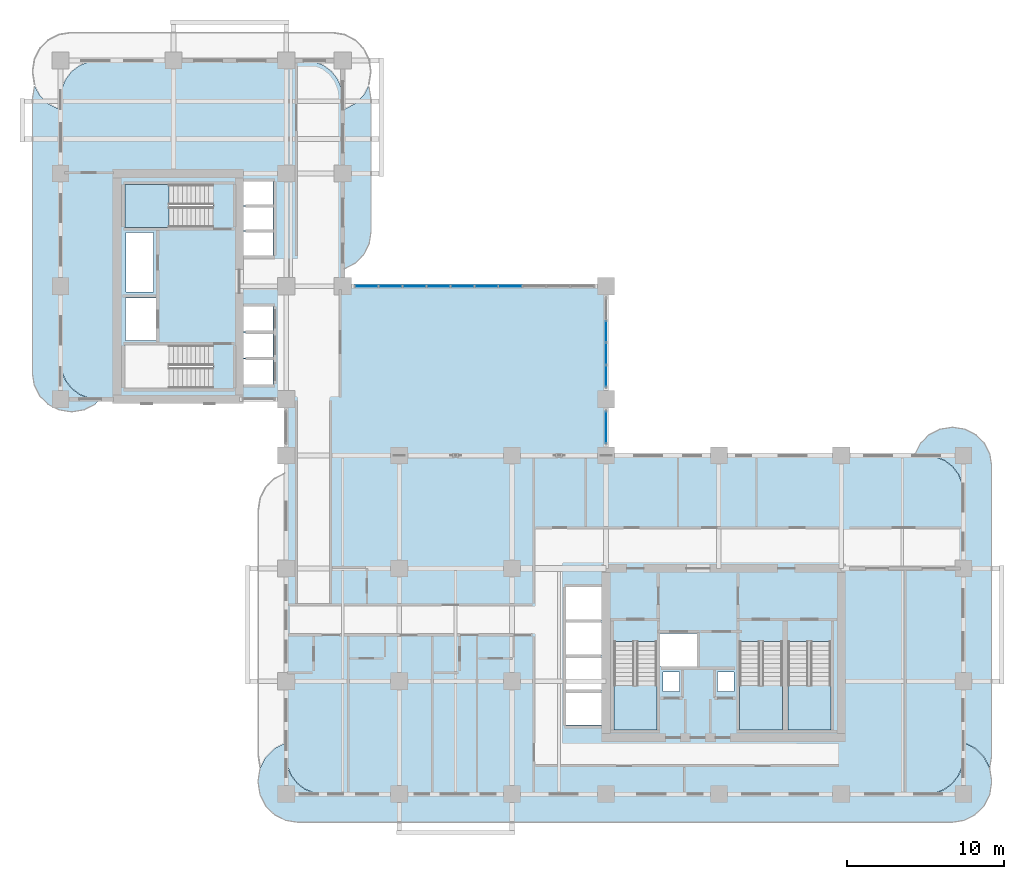
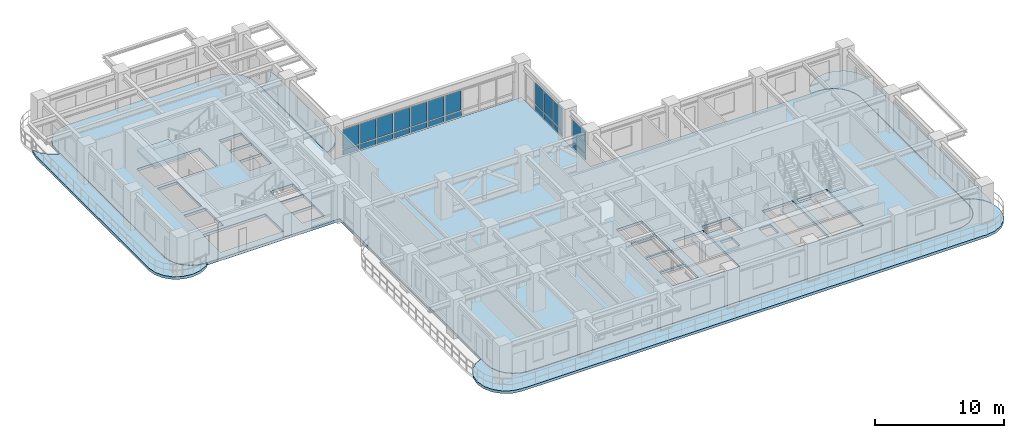
# One storey, part 9 of 21: 22 plates, 9 slabs, 7 elements without a shape of their own.
"""IFC4 building model written with IfcOpenShell, lengths in metres."""

from ifc_helpers import new_model, si_unit, derived_unit, direction, frame, origin, origin_2d, place, context, subcontext, project, spatial, polyline, rectangle, outline, extrude, source, transform, mapped, material, layer, layer_set, type_object, element, aggregate, save


model = new_model("IFC4")

# Units and contexts
model_context = context("Model", 3, precision=1e-05, world=origin(), true_north=direction((0.0, 1.0)))
body_context = subcontext(model_context, "Body", "Model", "MODEL_VIEW")
ifc_project = project(units=[si_unit("LENGTHUNIT", "METRE"), si_unit("AREAUNIT", "SQUARE_METRE"), si_unit("VOLUMEUNIT", "CUBIC_METRE"), si_unit("PLANEANGLEUNIT", "RADIAN"), si_unit("MASSUNIT", "GRAM", prefix="KILO"), si_unit("THERMODYNAMICTEMPERATUREUNIT", "KELVIN"), si_unit("POWERUNIT", "WATT"), derived_unit("THERMALTRANSMITTANCEUNIT", [(si_unit("POWERUNIT", "WATT"), 1), (si_unit("AREAUNIT", "SQUARE_METRE"), -1), (si_unit("THERMODYNAMICTEMPERATUREUNIT", "KELVIN"), -1)])], contexts=[model_context])

# Site, building, storey
site_placement = place(None, origin())
site = spatial("IfcSite", under=ifc_project, at=site_placement, CompositionType="ELEMENT")
building_placement = place(site_placement, origin())
building = spatial("IfcBuilding", under=site, at=building_placement, Name="Zahravan Archway Hotel and Residences", CompositionType="ELEMENT")
storey_placement = place(building_placement, frame((0.0, 0.0, 65.699951171875)))
storey = spatial("IfcBuildingStorey", under=building, at=storey_placement, Name="L15", CompositionType="ELEMENT", Elevation=65.699951171875)

# Slabs
ifc_material_1 = material(Name="Concrete C45/55", Category="concrete")
ifc_layer_1 = layer(ifc_material_1, 0.25, Name="Concrete C45/55", Category="concrete")
ifc_layer_set_1 = layer_set([ifc_layer_1], Name="Concrete C45/55")
slab_type_1 = type_object("IfcSlabType", Name="SLB-BALC-250", PredefinedType="FLOOR", material=ifc_layer_set_1)
slab_1_placement = place(storey_placement, frame((0.0, 0.0, -0.25)))
element("IfcSlab", 1, at=slab_1_placement, inside=storey, type_object=slab_type_1, Name="L15 Wing A South Rounded Balcony Band", PredefinedType="FLOOR", context=body_context, shape_type="SweptSolid", body=[
    extrude(outline(polyline([(57.637939453125, 3.275146484375), (58.348876953125, 2.9130859375), (58.9130859375, 2.348876953125), (59.275146484375, 1.637939453125), (59.39990234375, 0.85009765625), (59.39990234375, 0.75), (59.275146484375, -0.0380859375), (58.9130859375, -0.748779296875), (58.348876953125, -1.31298828125), (57.637939453125, -1.67529296875), (56.85009765625, -1.800048828125), (15.14990234375, -1.800048828125), (14.362060546875, -1.67529296875), (13.651123046875, -1.31298828125), (13.0869140625, -0.748779296875), (12.724853515625, -0.0380859375), (12.60009765625, 0.75), (12.60009765625, 0.85009765625), (12.724853515625, 1.637939453125), (13.0869140625, 2.348876953125), (13.651123046875, 2.9130859375), (14.362060546875, 3.275146484375), (14.3798828125, 3.278076171875), (14.3798828125, 2.39990234375), (14.380126953125, 2.3974609375), (14.4619140625, 1.776123046875), (14.46240234375, 1.7744140625), (14.462646484375, 1.772705078125), (14.46337890625, 1.77099609375), (14.702880859375, 1.1923828125), (14.703857421875, 1.19091796875), (14.70458984375, 1.189208984375), (14.70556640625, 1.187744140625), (15.0869140625, 0.690673828125), (15.088134765625, 0.689453125), (15.08935546875, 0.688232421875), (15.0908203125, 0.68701171875), (15.587890625, 0.3056640625), (15.58935546875, 0.3046875), (15.5908203125, 0.3037109375), (15.59228515625, 0.302978515625), (16.171142578125, 0.063232421875), (16.1728515625, 0.062744140625), (16.174560546875, 0.062255859375), (16.17626953125, 0.06201171875), (16.79736328125, -0.019775390625), (16.800048828125, -0.02001953125), (55.199951171875, -0.02001953125), (55.20263671875, -0.019775390625), (55.82373046875, 0.06201171875), (55.825439453125, 0.062255859375), (55.8271484375, 0.062744140625), (55.828857421875, 0.063232421875), (56.40771484375, 0.302978515625), (56.4091796875, 0.3037109375), (56.41064453125, 0.3046875), (56.412109375, 0.3056640625), (56.9091796875, 0.68701171875), (56.91064453125, 0.688232421875), (56.911865234375, 0.689453125), (56.9130859375, 0.690673828125), (57.29443359375, 1.187744140625), (57.29541015625, 1.189208984375), (57.296142578125, 1.19091796875), (57.297119140625, 1.1923828125), (57.53662109375, 1.77099609375), (57.537353515625, 1.772705078125), (57.53759765625, 1.7744140625), (57.5380859375, 1.776123046875), (57.619873046875, 2.3974609375), (57.6201171875, 2.39990234375), (57.6201171875, 3.278076171875), (57.637939453125, 3.275146484375)])), origin(), (0.0, 0.0, 1.0), 0.25),
])
slab_2_placement = place(storey_placement, frame((0.0, 0.0, -0.25)))
element("IfcSlab", 2, at=slab_2_placement, inside=storey, type_object=slab_type_1, Name="L15 Wing A East Rounded Balcony Band", PredefinedType="FLOOR", context=body_context, shape_type="SweptSolid", body=[
    extrude(outline(polyline([(54.52001953125, 21.70703125), (54.867919921875, 22.39013671875), (55.409912109375, 22.93212890625), (56.093017578125, 23.280029296875), (56.85009765625, 23.39990234375), (56.949951171875, 23.39990234375), (57.70703125, 23.280029296875), (58.39013671875, 22.93212890625), (58.93212890625, 22.39013671875), (59.280029296875, 21.70703125), (59.39990234375, 20.949951171875), (59.39990234375, 2.449951171875), (59.280029296875, 1.69287109375), (59.27490234375, 1.6826171875), (58.930908203125, 2.35791015625), (58.9296875, 2.35986328125), (58.928466796875, 2.361572265625), (58.927001953125, 2.363037109375), (58.363037109375, 2.927001953125), (58.361572265625, 2.928466796875), (58.35986328125, 2.9296875), (58.35791015625, 2.930908203125), (57.647216796875, 3.29296875), (57.645263671875, 3.2939453125), (57.643310546875, 3.29443359375), (57.64111328125, 3.294921875), (57.623046875, 3.2978515625), (57.62109375, 3.298095703125), (57.6201171875, 3.298095703125), (57.6201171875, 19.199951171875), (57.619873046875, 19.20263671875), (57.5380859375, 19.82373046875), (57.53759765625, 19.825439453125), (57.537353515625, 19.8271484375), (57.53662109375, 19.828857421875), (57.297119140625, 20.40771484375), (57.296142578125, 20.4091796875), (57.29541015625, 20.41064453125), (57.29443359375, 20.412109375), (56.9130859375, 20.9091796875), (56.911865234375, 20.91064453125), (56.91064453125, 20.911865234375), (56.9091796875, 20.9130859375), (56.412109375, 21.29443359375), (56.41064453125, 21.29541015625), (56.4091796875, 21.296142578125), (56.40771484375, 21.297119140625), (55.828857421875, 21.53662109375), (55.8271484375, 21.537353515625), (55.825439453125, 21.53759765625), (55.82373046875, 21.5380859375), (55.20263671875, 21.619873046875), (55.199951171875, 21.6201171875), (54.506103515625, 21.6201171875), (54.52001953125, 21.70703125)])), origin(), (0.0, 0.0, 1.0), 0.25),
])
slab_3_placement = place(storey_placement, frame((0.0, 0.0, -0.25)))
element("IfcSlab", 3, at=slab_3_placement, inside=storey, type_object=slab_type_1, Name="L15 Wing B West Rounded Balcony Band", PredefinedType="FLOOR", context=body_context, shape_type="SweptSolid", body=[
    extrude(outline(polyline([(2.190185546875, 24.867919921875), (1.507080078125, 24.52001953125), (0.75, 24.39990234375), (0.64990234375, 24.39990234375), (-0.107177734375, 24.52001953125), (-0.7900390625, 24.867919921875), (-1.33203125, 25.409912109375), (-1.68017578125, 26.093017578125), (-1.800048828125, 26.85009765625), (-1.800048828125, 44.35009765625), (-1.68017578125, 45.107177734375), (-1.64404296875, 45.177978515625), (-1.349853515625, 44.600830078125), (-1.348876953125, 44.59912109375), (-1.34765625, 44.597412109375), (-1.34619140625, 44.595703125), (-0.80419921875, 44.0537109375), (-0.802734375, 44.052490234375), (-0.801025390625, 44.051025390625), (-0.79931640625, 44.050048828125), (-0.1162109375, 43.7021484375), (-0.1142578125, 43.701171875), (-0.1123046875, 43.70068359375), (-0.110107421875, 43.7001953125), (-0.023193359375, 43.686279296875), (-0.021240234375, 43.68603515625), (-0.02001953125, 43.68603515625), (-0.02001953125, 27.60009765625), (-0.019775390625, 27.597412109375), (0.06201171875, 26.976318359375), (0.062255859375, 26.974609375), (0.062744140625, 26.972900390625), (0.063232421875, 26.97119140625), (0.302978515625, 26.392333984375), (0.3037109375, 26.390869140625), (0.3046875, 26.389404296875), (0.3056640625, 26.3876953125), (0.68701171875, 25.890625), (0.688232421875, 25.889404296875), (0.689453125, 25.88818359375), (0.690673828125, 25.886962890625), (1.187744140625, 25.505615234375), (1.189208984375, 25.504638671875), (1.19091796875, 25.50390625), (1.1923828125, 25.5029296875), (1.77099609375, 25.26318359375), (1.772705078125, 25.2626953125), (1.7744140625, 25.26220703125), (1.776123046875, 25.261962890625), (2.3974609375, 25.18017578125), (2.39990234375, 25.179931640625), (2.502197265625, 25.179931640625), (2.190185546875, 24.867919921875)])), origin(), (0.0, 0.0, 1.0), 0.25),
])
slab_4_placement = place(storey_placement, frame((0.0, 0.0, -0.25)))
element("IfcSlab", 4, at=slab_4_placement, inside=storey, type_object=slab_type_1, Name="L15 Wing B East Rounded Balcony Band", PredefinedType="FLOOR", context=body_context, shape_type="SweptSolid", body=[
    extrude(outline(polyline([(19.68017578125, 45.107177734375), (19.800048828125, 44.35009765625), (19.800048828125, 35.85009765625), (19.68017578125, 35.093017578125), (19.33203125, 34.409912109375), (18.7900390625, 33.867919921875), (18.107177734375, 33.52001953125), (18.02001953125, 33.506103515625), (18.02001953125, 43.68603515625), (18.021240234375, 43.68603515625), (18.023193359375, 43.686279296875), (18.110107421875, 43.7001953125), (18.1123046875, 43.70068359375), (18.1142578125, 43.701171875), (18.1162109375, 43.7021484375), (18.79931640625, 44.050048828125), (18.801025390625, 44.051025390625), (18.802734375, 44.052490234375), (18.80419921875, 44.0537109375), (19.34619140625, 44.595703125), (19.34765625, 44.597412109375), (19.348876953125, 44.59912109375), (19.349853515625, 44.600830078125), (19.64404296875, 45.177978515625), (19.68017578125, 45.107177734375)])), origin(), (0.0, 0.0, 1.0), 0.25),
])
ifc_layer_2 = layer(ifc_material_1, 0.25, Name="Concrete C45/55", Category="concrete")
ifc_layer_set_2 = layer_set([ifc_layer_2], Name="Concrete C45/55")
slab_type_2 = type_object("IfcSlabType", Name="SLB-FLR-250", PredefinedType="FLOOR", material=ifc_layer_set_2)
slab_5_placement = place(storey_placement, frame((0.0, 0.0, -0.25)))
element("IfcSlab", 5, at=slab_5_placement, inside=storey, type_object=slab_type_2, Name="L15 Floor Slab LB", PredefinedType="FLOOR", context=body_context, shape_type="SweptSolid", body=[
    extrude(outline(polyline([(34.800048828125, 21.60009765625), (34.800048828125, 32.39990234375), (18.0, 32.39990234375), (18.0, 44.39990234375), (17.918212890625, 45.021240234375), (17.678466796875, 45.60009765625), (17.297119140625, 46.09716796875), (16.800048828125, 46.478515625), (16.22119140625, 46.71826171875), (15.60009765625, 46.800048828125), (2.39990234375, 46.800048828125), (1.77880859375, 46.71826171875), (1.199951171875, 46.478515625), (0.702880859375, 46.09716796875), (0.321533203125, 45.60009765625), (0.081787109375, 45.021240234375), (0.0, 44.39990234375), (0.0, 27.60009765625), (0.081787109375, 26.978759765625), (0.321533203125, 26.39990234375), (0.702880859375, 25.90283203125), (1.199951171875, 25.521484375), (1.77880859375, 25.28173828125), (2.39990234375, 25.199951171875), (14.39990234375, 25.199951171875), (14.39990234375, 19.199951171875), (14.39990234375, 19.10009765625), (14.39990234375, 2.39990234375), (14.481689453125, 1.77880859375), (14.721435546875, 1.199951171875), (15.102783203125, 0.702880859375), (15.60009765625, 0.321533203125), (16.1787109375, 0.081787109375), (16.800048828125, 0.0), (55.199951171875, 0.0), (55.8212890625, 0.081787109375), (56.39990234375, 0.321533203125), (56.897216796875, 0.702880859375), (57.278564453125, 1.199951171875), (57.518310546875, 1.77880859375), (57.60009765625, 2.39990234375), (57.60009765625, 19.199951171875), (57.518310546875, 19.8212890625), (57.278564453125, 20.39990234375), (56.897216796875, 20.897216796875), (56.39990234375, 21.278564453125), (55.8212890625, 21.518310546875), (55.199951171875, 21.60009765625), (34.800048828125, 21.60009765625)]), holes=[polyline([(35.300048828125, 9.72998046875), (35.300048828125, 4.10009765625), (38.0400390625, 4.10009765625), (38.0400390625, 9.72998046875), (35.300048828125, 9.72998046875)]), polyline([(43.320068359375, 9.72998046875), (43.320068359375, 4.10009765625), (46.06005859375, 4.10009765625), (46.06005859375, 9.72998046875), (43.320068359375, 9.72998046875)]), polyline([(46.39990234375, 9.72998046875), (46.39990234375, 4.10009765625), (49.139892578125, 4.10009765625), (49.139892578125, 9.72998046875), (46.39990234375, 9.72998046875)]), polyline([(9.72998046875, 28.639892578125), (4.10009765625, 28.639892578125), (4.10009765625, 25.89990234375), (9.72998046875, 25.89990234375), (9.72998046875, 28.639892578125)]), polyline([(9.72998046875, 38.89990234375), (4.10009765625, 38.89990234375), (4.10009765625, 36.159912109375), (9.72998046875, 36.159912109375), (9.72998046875, 38.89990234375)]), polyline([(38.179931640625, 8.14990234375), (40.699951171875, 8.14990234375), (40.699951171875, 10.25), (38.179931640625, 10.25), (38.179931640625, 8.14990234375)]), polyline([(4.14990234375, 28.949951171875), (6.10009765625, 28.949951171875), (6.10009765625, 31.64990234375), (4.14990234375, 31.64990234375), (4.14990234375, 28.949951171875)]), polyline([(11.550048828125, 26.14990234375), (13.550048828125, 26.14990234375), (13.550048828125, 27.75), (11.550048828125, 27.75), (11.550048828125, 26.14990234375)]), polyline([(11.550048828125, 27.830078125), (13.550048828125, 27.830078125), (13.550048828125, 29.429931640625), (11.550048828125, 29.429931640625), (11.550048828125, 27.830078125)]), polyline([(11.550048828125, 29.510009765625), (13.550048828125, 29.510009765625), (13.550048828125, 31.110107421875), (11.550048828125, 31.110107421875), (11.550048828125, 29.510009765625)]), polyline([(11.550048828125, 34.35009765625), (13.550048828125, 34.35009765625), (13.550048828125, 35.889892578125), (11.550048828125, 35.889892578125), (11.550048828125, 34.35009765625)]), polyline([(11.550048828125, 35.949951171875), (13.550048828125, 35.949951171875), (13.550048828125, 37.489990234375), (11.550048828125, 37.489990234375), (11.550048828125, 35.949951171875)]), polyline([(11.550048828125, 37.550048828125), (13.550048828125, 37.550048828125), (13.550048828125, 39.090087890625), (11.550048828125, 39.090087890625), (11.550048828125, 37.550048828125)]), polyline([(32.25, 4.39990234375), (34.550048828125, 4.39990234375), (34.550048828125, 6.47998046875), (32.25, 6.47998046875), (32.25, 4.39990234375)]), polyline([(32.25, 6.639892578125), (34.550048828125, 6.639892578125), (34.550048828125, 8.719970703125), (32.25, 8.719970703125), (32.25, 6.639892578125)]), polyline([(32.25, 8.8798828125), (34.550048828125, 8.8798828125), (34.550048828125, 10.9599609375), (32.25, 10.9599609375), (32.25, 8.8798828125)]), polyline([(32.25, 11.1201171875), (34.550048828125, 11.1201171875), (34.550048828125, 13.199951171875), (32.25, 13.199951171875), (32.25, 11.1201171875)]), polyline([(38.419921875, 6.56005859375), (39.5, 6.56005859375), (39.5, 7.780029296875), (38.419921875, 7.780029296875), (38.419921875, 6.56005859375)]), polyline([(41.89990234375, 6.56005859375), (42.9599609375, 6.56005859375), (42.9599609375, 7.780029296875), (41.89990234375, 7.780029296875), (41.89990234375, 6.56005859375)]), polyline([(4.179931640625, 32.050048828125), (5.93994140625, 32.050048828125), (5.93994140625, 35.840087890625), (4.179931640625, 35.840087890625), (4.179931640625, 32.050048828125)])]), origin(), (0.0, 0.0, 1.0), 0.25),
])

# Stair, slab
ifc_material_2 = material(Name="Concrete C50/60", Category="concrete")
stair_type = type_object("IfcStairType", Name="STR-CORE-1300", PredefinedType="HALF_TURN_STAIR", material=ifc_material_2)
stair_1_placement = place(storey_placement, origin())
stair_1 = element("IfcStair", 6, at=stair_1_placement, inside=storey, type_object=stair_type, Name="L15 Core A Exit Stair 1", PredefinedType="HALF_TURN_STAIR")
ifc_layer_3 = layer(ifc_material_2, 0.199951171875, Name="Concrete C50/60", Category="concrete")
ifc_layer_set_3 = layer_set([ifc_layer_3], Name="Concrete C50/60")
slab_type_3 = type_object("IfcSlabType", Name="SLB-LND-200", PredefinedType="LANDING", material=ifc_layer_set_3)
slab_6_placement = place(storey_placement, frame((0.0, 0.0, 1.650146484375)))
slab_6 = element("IfcSlab", 7, at=slab_6_placement, type_object=slab_type_3, Name="ST-A1 landing 1", PredefinedType="LANDING", context=body_context, shape_type="SweptSolid", body=[
    extrude(outline(polyline([(35.300048828125, 6.929931640625), (35.300048828125, 4.10009765625), (38.0400390625, 4.10009765625), (38.0400390625, 6.929931640625), (35.300048828125, 6.929931640625)])), origin(), (0.0, 0.0, 1.0), 0.199951171875),
])
aggregate(stair_1, [slab_6])

stair_2_placement = place(storey_placement, origin())
stair_2 = element("IfcStair", 8, at=stair_2_placement, inside=storey, type_object=stair_type, Name="L15 Core A Exit Stair 2", PredefinedType="HALF_TURN_STAIR")
slab_7_placement = place(storey_placement, frame((0.0, 0.0, 1.650146484375)))
slab_7 = element("IfcSlab", 9, at=slab_7_placement, type_object=slab_type_3, Name="ST-A2 landing 1", PredefinedType="LANDING", context=body_context, shape_type="SweptSolid", body=[
    extrude(outline(polyline([(43.320068359375, 6.929931640625), (43.320068359375, 4.10009765625), (46.06005859375, 4.10009765625), (46.06005859375, 6.929931640625), (43.320068359375, 6.929931640625)])), origin(), (0.0, 0.0, 1.0), 0.199951171875),
])
aggregate(stair_2, [slab_7])

stair_3_placement = place(storey_placement, origin())
stair_3 = element("IfcStair", 10, at=stair_3_placement, inside=storey, type_object=stair_type, Name="L15 Core A Exit Stair 3", PredefinedType="HALF_TURN_STAIR")
slab_8_placement = place(storey_placement, frame((0.0, 0.0, 1.650146484375)))
slab_8 = element("IfcSlab", 11, at=slab_8_placement, type_object=slab_type_3, Name="ST-A3 landing 1", PredefinedType="LANDING", context=body_context, shape_type="SweptSolid", body=[
    extrude(outline(polyline([(46.39990234375, 6.929931640625), (46.39990234375, 4.10009765625), (49.139892578125, 4.10009765625), (49.139892578125, 6.929931640625), (46.39990234375, 6.929931640625)])), origin(), (0.0, 0.0, 1.0), 0.199951171875),
])
aggregate(stair_3, [slab_8])

stair_4_placement = place(storey_placement, origin())
stair_4 = element("IfcStair", 12, at=stair_4_placement, inside=storey, type_object=stair_type, Name="L15 Core B Exit Stair 2", PredefinedType="HALF_TURN_STAIR")
slab_9_placement = place(storey_placement, frame((0.0, 0.0, 1.650146484375)))
slab_9 = element("IfcSlab", 13, at=slab_9_placement, type_object=slab_type_3, Name="ST-B2 landing 1", PredefinedType="LANDING", context=body_context, shape_type="SweptSolid", body=[
    extrude(outline(polyline([(6.929931640625, 38.89990234375), (4.10009765625, 38.89990234375), (4.10009765625, 36.159912109375), (6.929931640625, 36.159912109375), (6.929931640625, 38.89990234375)])), origin(), (0.0, 0.0, 1.0), 0.199951171875),
])
aggregate(stair_4, [slab_9])

# Curtain wall, plates
ifc_material_3 = material(Name="Bronze-Anodized Unitised Aluminium & Low-E Glass", Category="aluminium")
ifc_layer_4 = layer(ifc_material_3, 0.179931640625, Name="Bronze-Anodized Unitised Aluminium & Low-E Glass", Category="aluminium")
ifc_layer_set_4 = layer_set([ifc_layer_4], Name="Bronze-Anodized Unitised Aluminium & Low-E Glass")
curtain_wall_type = type_object("IfcCurtainWallType", Name="CW-SBG-1", PredefinedType="NOTDEFINED", material=ifc_layer_set_4)
curtain_wall_1_placement = place(storey_placement, origin())
curtain_wall_1 = element("IfcCurtainWall", 14, at=curtain_wall_1_placement, inside=storey, type_object=curtain_wall_type, Name="L15 Curtain Wall CW-L15-HNG-E-2", PredefinedType="NOTDEFINED")
ifc_material_4 = material(Name="Insulated Terracotta Spandrel Panel", Category="masonry")
ifc_layer_5 = layer(ifc_material_4, 0.0400390625, Name="Insulated Terracotta Spandrel Panel", Category="masonry")
ifc_layer_set_5 = layer_set([ifc_layer_5], Name="Insulated Terracotta Spandrel Panel")
plate_type_1 = type_object("IfcPlateType", Name="CWP-SPN-40", PredefinedType="SHEET", material=ifc_layer_set_5)
shared_shape_1 = source(origin(), body_context, "Body", "SweptSolid", [
    extrude(rectangle(XDim=1.340087890625, YDim=0.0400390625, at=origin_2d()), origin(), (0.0, 0.0, 1.0), 0.552490234375),
])
plate_1_placement = place(storey_placement, frame((34.800048828125, 26.669921875, 0.10009765625), z_axis=(0.0, 0.0, 1.0), x_axis=(0.0, 1.0, 0.0)))
plate_1 = element("IfcPlate", 15, at=plate_1_placement, type_object=plate_type_1, Name="CW-L15-HNG-E-2 Spandrel Panel 0", PredefinedType="SHEET", context=body_context, shape_type="MappedRepresentation", body=[
    mapped(shared_shape_1, transform((0.0, 0.0, 0.0), scale=1.0)),
])
plate_2_placement = place(storey_placement, frame((34.800048828125, 28.090087890625, 0.10009765625), z_axis=(0.0, 0.0, 1.0), x_axis=(0.0, 1.0, 0.0)))
plate_2 = element("IfcPlate", 16, at=plate_2_placement, type_object=plate_type_1, Name="CW-L15-HNG-E-2 Spandrel Panel 1", PredefinedType="SHEET", context=body_context, shape_type="MappedRepresentation", body=[
    mapped(shared_shape_1, transform((0.0, 0.0, 0.0), scale=1.0)),
])
plate_3_placement = place(storey_placement, frame((34.800048828125, 29.510009765625, 0.10009765625), z_axis=(0.0, 0.0, 1.0), x_axis=(0.0, 1.0, 0.0)))
plate_3 = element("IfcPlate", 17, at=plate_3_placement, type_object=plate_type_1, Name="CW-L15-HNG-E-2 Spandrel Panel 2", PredefinedType="SHEET", context=body_context, shape_type="MappedRepresentation", body=[
    mapped(shared_shape_1, transform((0.0, 0.0, 0.0), scale=1.0)),
])
ifc_material_5 = material(Name="Double-Silver Low-E Insulated Vision Glass", Category="glass")
ifc_layer_6 = layer(ifc_material_5, 0.028076171875, Name="Double-Silver Low-E Insulated Vision Glass", Category="glass")
ifc_layer_set_6 = layer_set([ifc_layer_6], Name="Double-Silver Low-E Insulated Vision Glass")
plate_type_2 = type_object("IfcPlateType", Name="CWP-GLZ-28", PredefinedType="CURTAIN_PANEL", material=ifc_layer_set_6)
shared_shape_2 = source(origin(), body_context, "Body", "SweptSolid", [
    extrude(rectangle(XDim=1.340087890625, YDim=0.028076171875, at=origin_2d()), origin(), (0.0, 0.0, 1.0), 2.052490234375),
])
plate_4_placement = place(storey_placement, frame((34.800048828125, 26.669921875, 0.732421875), z_axis=(0.0, 0.0, 1.0), x_axis=(0.0, 1.0, 0.0)))
plate_4 = element("IfcPlate", 18, at=plate_4_placement, type_object=plate_type_2, Name="CW-L15-HNG-E-2 Low-E Vision Panel 0", PredefinedType="CURTAIN_PANEL", context=body_context, shape_type="MappedRepresentation", body=[
    mapped(shared_shape_2, transform((0.0, 0.0, 0.0), scale=1.0)),
])
plate_5_placement = place(storey_placement, frame((34.800048828125, 28.090087890625, 0.732421875), z_axis=(0.0, 0.0, 1.0), x_axis=(0.0, 1.0, 0.0)))
plate_5 = element("IfcPlate", 19, at=plate_5_placement, type_object=plate_type_2, Name="CW-L15-HNG-E-2 Low-E Vision Panel 1", PredefinedType="CURTAIN_PANEL", context=body_context, shape_type="MappedRepresentation", body=[
    mapped(shared_shape_2, transform((0.0, 0.0, 0.0), scale=1.0)),
])
plate_6_placement = place(storey_placement, frame((34.800048828125, 29.510009765625, 0.732421875), z_axis=(0.0, 0.0, 1.0), x_axis=(0.0, 1.0, 0.0)))
plate_6 = element("IfcPlate", 20, at=plate_6_placement, type_object=plate_type_2, Name="CW-L15-HNG-E-2 Low-E Vision Panel 2", PredefinedType="CURTAIN_PANEL", context=body_context, shape_type="MappedRepresentation", body=[
    mapped(shared_shape_2, transform((0.0, 0.0, 0.0), scale=1.0)),
])
aggregate(curtain_wall_1, [plate_1, plate_4, plate_2, plate_5, plate_3, plate_6])

curtain_wall_2_placement = place(storey_placement, origin())
curtain_wall_2 = element("IfcCurtainWall", 21, at=curtain_wall_2_placement, inside=storey, type_object=curtain_wall_type, Name="L15 Curtain Wall CW-L15-HNG-E-1", PredefinedType="NOTDEFINED")
shared_shape_3 = source(origin(), body_context, "Body", "SweptSolid", [
    extrude(rectangle(XDim=2.0, YDim=0.0400390625, at=origin_2d()), origin(), (0.0, 0.0, 1.0), 0.552490234375),
])
plate_7_placement = place(storey_placement, frame((34.800048828125, 23.39990234375, 0.10009765625), z_axis=(0.0, 0.0, 1.0), x_axis=(0.0, 1.0, 0.0)))
plate_7 = element("IfcPlate", 22, at=plate_7_placement, type_object=plate_type_1, Name="CW-L15-HNG-E-1 Spandrel Panel 0", PredefinedType="SHEET", context=body_context, shape_type="MappedRepresentation", body=[
    mapped(shared_shape_3, transform((0.0, 0.0, 0.0), scale=1.0)),
])
shared_shape_4 = source(origin(), body_context, "Body", "SweptSolid", [
    extrude(rectangle(XDim=2.0, YDim=0.028076171875, at=origin_2d()), origin(), (0.0, 0.0, 1.0), 2.052490234375),
])
plate_8_placement = place(storey_placement, frame((34.800048828125, 23.39990234375, 0.732421875), z_axis=(0.0, 0.0, 1.0), x_axis=(0.0, 1.0, 0.0)))
plate_8 = element("IfcPlate", 23, at=plate_8_placement, type_object=plate_type_2, Name="CW-L15-HNG-E-1 Low-E Vision Panel 0", PredefinedType="CURTAIN_PANEL", context=body_context, shape_type="MappedRepresentation", body=[
    mapped(shared_shape_4, transform((0.0, 0.0, 0.0), scale=1.0)),
])
aggregate(curtain_wall_2, [plate_7, plate_8])

curtain_wall_3_placement = place(storey_placement, origin())
curtain_wall_3 = element("IfcCurtainWall", 24, at=curtain_wall_3_placement, inside=storey, type_object=curtain_wall_type, Name="L15 Curtain Wall CW-L15-HNG-N-1", PredefinedType="NOTDEFINED")
shared_shape_5 = source(origin(), body_context, "Body", "SweptSolid", [
    extrude(rectangle(XDim=1.447998046875, YDim=0.0400390625, at=origin_2d()), origin(), (0.0, 0.0, 1.0), 0.492431640625),
])
plate_9_placement = place(storey_placement, frame((19.52392578125, 32.39990234375, 0.10009765625), z_axis=(0.0, 0.0, 1.0), x_axis=(1.0, 0.0, 0.0)))
plate_9 = element("IfcPlate", 25, at=plate_9_placement, type_object=plate_type_1, Name="CW-L15-HNG-N-1 Spandrel Panel 0", PredefinedType="SHEET", context=body_context, shape_type="MappedRepresentation", body=[
    mapped(shared_shape_5, transform((0.0, 0.0, 0.0), scale=1.0)),
])
plate_10_placement = place(storey_placement, frame((21.052001953125, 32.39990234375, 0.10009765625), z_axis=(0.0, 0.0, 1.0), x_axis=(1.0, 0.0, 0.0)))
plate_10 = element("IfcPlate", 26, at=plate_10_placement, type_object=plate_type_1, Name="CW-L15-HNG-N-1 Spandrel Panel 1", PredefinedType="SHEET", context=body_context, shape_type="MappedRepresentation", body=[
    mapped(shared_shape_5, transform((0.0, 0.0, 0.0), scale=1.0)),
])
plate_11_placement = place(storey_placement, frame((22.580078125, 32.39990234375, 0.10009765625), z_axis=(0.0, 0.0, 1.0), x_axis=(1.0, 0.0, 0.0)))
plate_11 = element("IfcPlate", 27, at=plate_11_placement, type_object=plate_type_1, Name="CW-L15-HNG-N-1 Spandrel Panel 2", PredefinedType="SHEET", context=body_context, shape_type="MappedRepresentation", body=[
    mapped(shared_shape_5, transform((0.0, 0.0, 0.0), scale=1.0)),
])
plate_12_placement = place(storey_placement, frame((24.10791015625, 32.39990234375, 0.10009765625), z_axis=(0.0, 0.0, 1.0), x_axis=(1.0, 0.0, 0.0)))
plate_12 = element("IfcPlate", 28, at=plate_12_placement, type_object=plate_type_1, Name="CW-L15-HNG-N-1 Spandrel Panel 3", PredefinedType="SHEET", context=body_context, shape_type="MappedRepresentation", body=[
    mapped(shared_shape_5, transform((0.0, 0.0, 0.0), scale=1.0)),
])
plate_13_placement = place(storey_placement, frame((25.635986328125, 32.39990234375, 0.10009765625), z_axis=(0.0, 0.0, 1.0), x_axis=(1.0, 0.0, 0.0)))
plate_13 = element("IfcPlate", 29, at=plate_13_placement, type_object=plate_type_1, Name="CW-L15-HNG-N-1 Spandrel Panel 4", PredefinedType="SHEET", context=body_context, shape_type="MappedRepresentation", body=[
    mapped(shared_shape_5, transform((0.0, 0.0, 0.0), scale=1.0)),
])
plate_14_placement = place(storey_placement, frame((27.1640625, 32.39990234375, 0.10009765625), z_axis=(0.0, 0.0, 1.0), x_axis=(1.0, 0.0, 0.0)))
plate_14 = element("IfcPlate", 30, at=plate_14_placement, type_object=plate_type_1, Name="CW-L15-HNG-N-1 Spandrel Panel 5", PredefinedType="SHEET", context=body_context, shape_type="MappedRepresentation", body=[
    mapped(shared_shape_5, transform((0.0, 0.0, 0.0), scale=1.0)),
])
plate_15_placement = place(storey_placement, frame((28.69189453125, 32.39990234375, 0.10009765625), z_axis=(0.0, 0.0, 1.0), x_axis=(1.0, 0.0, 0.0)))
plate_15 = element("IfcPlate", 31, at=plate_15_placement, type_object=plate_type_1, Name="CW-L15-HNG-N-1 Spandrel Panel 6", PredefinedType="SHEET", context=body_context, shape_type="MappedRepresentation", body=[
    mapped(shared_shape_5, transform((0.0, 0.0, 0.0), scale=1.0)),
])
shared_shape_6 = source(origin(), body_context, "Body", "SweptSolid", [
    extrude(rectangle(XDim=1.447998046875, YDim=0.028076171875, at=origin_2d()), origin(), (0.0, 0.0, 1.0), 1.862548828125),
])
plate_16_placement = place(storey_placement, frame((19.52392578125, 32.39990234375, 0.67236328125), z_axis=(0.0, 0.0, 1.0), x_axis=(1.0, 0.0, 0.0)))
plate_16 = element("IfcPlate", 32, at=plate_16_placement, type_object=plate_type_2, Name="CW-L15-HNG-N-1 Low-E Vision Panel 0", PredefinedType="CURTAIN_PANEL", context=body_context, shape_type="MappedRepresentation", body=[
    mapped(shared_shape_6, transform((0.0, 0.0, 0.0), scale=1.0)),
])
plate_17_placement = place(storey_placement, frame((21.052001953125, 32.39990234375, 0.67236328125), z_axis=(0.0, 0.0, 1.0), x_axis=(1.0, 0.0, 0.0)))
plate_17 = element("IfcPlate", 33, at=plate_17_placement, type_object=plate_type_2, Name="CW-L15-HNG-N-1 Low-E Vision Panel 1", PredefinedType="CURTAIN_PANEL", context=body_context, shape_type="MappedRepresentation", body=[
    mapped(shared_shape_6, transform((0.0, 0.0, 0.0), scale=1.0)),
])
plate_18_placement = place(storey_placement, frame((22.580078125, 32.39990234375, 0.67236328125), z_axis=(0.0, 0.0, 1.0), x_axis=(1.0, 0.0, 0.0)))
plate_18 = element("IfcPlate", 34, at=plate_18_placement, type_object=plate_type_2, Name="CW-L15-HNG-N-1 Low-E Vision Panel 2", PredefinedType="CURTAIN_PANEL", context=body_context, shape_type="MappedRepresentation", body=[
    mapped(shared_shape_6, transform((0.0, 0.0, 0.0), scale=1.0)),
])
plate_19_placement = place(storey_placement, frame((24.10791015625, 32.39990234375, 0.67236328125), z_axis=(0.0, 0.0, 1.0), x_axis=(1.0, 0.0, 0.0)))
plate_19 = element("IfcPlate", 35, at=plate_19_placement, type_object=plate_type_2, Name="CW-L15-HNG-N-1 Low-E Vision Panel 3", PredefinedType="CURTAIN_PANEL", context=body_context, shape_type="MappedRepresentation", body=[
    mapped(shared_shape_6, transform((0.0, 0.0, 0.0), scale=1.0)),
])
plate_20_placement = place(storey_placement, frame((25.635986328125, 32.39990234375, 0.67236328125), z_axis=(0.0, 0.0, 1.0), x_axis=(1.0, 0.0, 0.0)))
plate_20 = element("IfcPlate", 36, at=plate_20_placement, type_object=plate_type_2, Name="CW-L15-HNG-N-1 Low-E Vision Panel 4", PredefinedType="CURTAIN_PANEL", context=body_context, shape_type="MappedRepresentation", body=[
    mapped(shared_shape_6, transform((0.0, 0.0, 0.0), scale=1.0)),
])
plate_21_placement = place(storey_placement, frame((27.1640625, 32.39990234375, 0.67236328125), z_axis=(0.0, 0.0, 1.0), x_axis=(1.0, 0.0, 0.0)))
plate_21 = element("IfcPlate", 37, at=plate_21_placement, type_object=plate_type_2, Name="CW-L15-HNG-N-1 Low-E Vision Panel 5", PredefinedType="CURTAIN_PANEL", context=body_context, shape_type="MappedRepresentation", body=[
    mapped(shared_shape_6, transform((0.0, 0.0, 0.0), scale=1.0)),
])
plate_22_placement = place(storey_placement, frame((28.69189453125, 32.39990234375, 0.67236328125), z_axis=(0.0, 0.0, 1.0), x_axis=(1.0, 0.0, 0.0)))
plate_22 = element("IfcPlate", 38, at=plate_22_placement, type_object=plate_type_2, Name="CW-L15-HNG-N-1 Low-E Vision Panel 6", PredefinedType="CURTAIN_PANEL", context=body_context, shape_type="MappedRepresentation", body=[
    mapped(shared_shape_6, transform((0.0, 0.0, 0.0), scale=1.0)),
])
aggregate(curtain_wall_3, [plate_9, plate_16, plate_10, plate_17, plate_11, plate_18, plate_12, plate_19, plate_13, plate_20, plate_14, plate_21, plate_15, plate_22])

save(model, "model.ifc")
